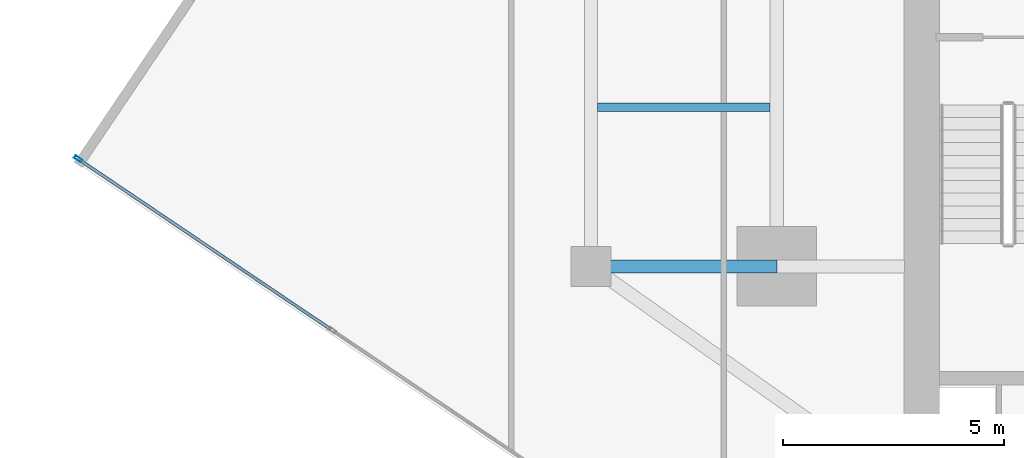
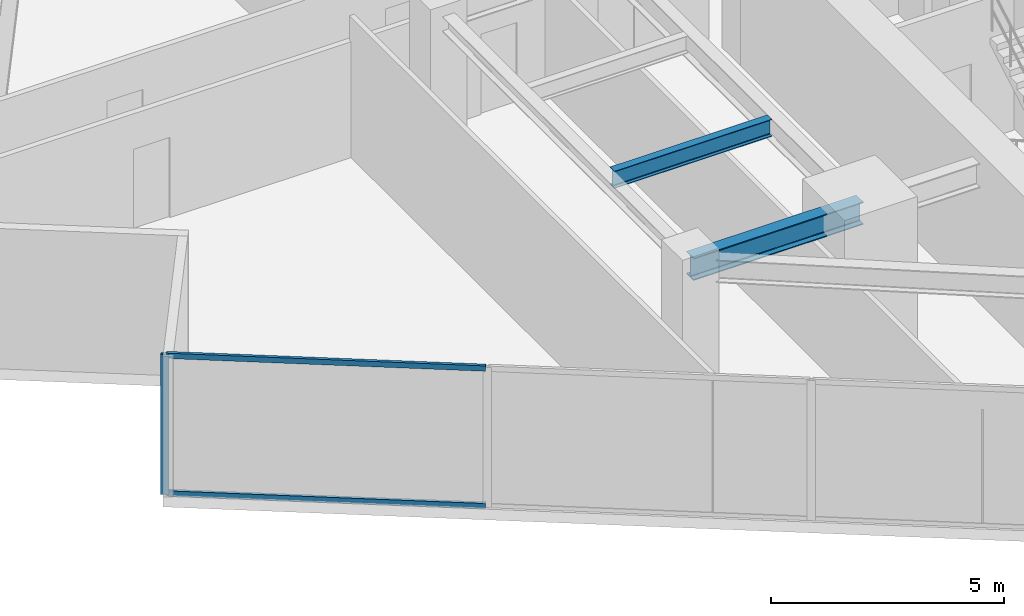
# One storey, part 5 of 27: 3 members, 2 beams, 1 element without a shape of its own.
"""IFC4 building model written with IfcOpenShell, lengths in metres."""

from ifc_helpers import new_model, si_unit, direction, frame, origin, origin_2d, place, context, subcontext, project, spatial, hollow_rectangle, i_section, extrude, source, transform, mapped, material, material_profile, profile_set, type_object, type_shapes, element, aggregate, save


model = new_model("IFC4")

# Units and contexts
model_context = context("Model", 3, precision=1e-05, world=origin(), true_north=direction((0.0, 1.0)))
body_context = subcontext(model_context, "Body", "Model", "MODEL_VIEW")
ifc_project = project(units=[si_unit("LENGTHUNIT", "METRE"), si_unit("AREAUNIT", "SQUARE_METRE"), si_unit("VOLUMEUNIT", "CUBIC_METRE"), si_unit("PLANEANGLEUNIT", "RADIAN"), si_unit("MASSUNIT", "GRAM", prefix="KILO")], contexts=[model_context])

# Site, building, storey
site_placement = place(None, origin())
site = spatial("IfcSite", under=ifc_project, at=site_placement, CompositionType="ELEMENT")
building_placement = place(site_placement, origin())
building = spatial("IfcBuilding", under=site, at=building_placement, Name="Krantzveldt Concourse Tower", CompositionType="ELEMENT")
storey_placement = place(building_placement, frame((0.0, 0.0, 185.699951171875)))
storey = spatial("IfcBuildingStorey", under=building, at=storey_placement, Name="L45", CompositionType="ELEMENT", Elevation=185.699951171875)

# Beams
ifc_material_1 = material(Name="Steel S355JR", Category="steel")
ifc_material_profile_1 = material_profile(ifc_material_1, i_section(OverallWidth=0.300048828125, OverallDepth=0.590087890625, WebThickness=0.012939453125, FlangeThickness=0.02490234375, FilletRadius=0.027099609375, at=origin_2d()), Name="Steel S355JR", Category="steel")
ifc_profile_set_1 = profile_set([ifc_material_profile_1], Name="Steel S355JR - HEA 600")
beam_type_1 = type_object("IfcBeamType", Name="BM-B-HEA600", PredefinedType="BEAM", material=ifc_profile_set_1)
shared_shape_1 = source(origin(), body_context, "Body", "SweptSolid", [
    extrude(i_section(OverallWidth=0.300048828125, OverallDepth=0.590087890625, WebThickness=0.012939453125, FlangeThickness=0.02490234375, FilletRadius=0.027099609375, at=origin_2d()), origin(), (0.0, 0.0, 1.0), 4.199951171875),
])
type_shapes(beam_type_1, [shared_shape_1])
beam_1_placement = place(storey_placement, frame((21.0, 15.89990234375, 3.375), z_axis=(1.0, 0.0, 0.0), x_axis=(0.0, 1.0, 0.0)))
element("IfcBeam", 1, at=beam_1_placement, inside=storey, type_object=beam_type_1, Name="L45 Tower Girder BR-RL1", PredefinedType="BEAM", context=body_context, shape_type="MappedRepresentation", body=[
    mapped(shared_shape_1, transform((0.0, 0.0, 0.0), x_axis=(1.0, 0.0, 0.0), y_axis=(0.0, 1.0, 0.0), z_axis=(0.0, 0.0, 1.0), scale=1.0)),
])
ifc_material_profile_2 = material_profile(ifc_material_1, i_section(OverallWidth=0.18994140625, OverallDepth=0.449951171875, WebThickness=0.009521484375, FlangeThickness=0.0146484375, FilletRadius=0.02099609375, at=origin_2d()), Name="Steel S355JR", Category="steel")
ifc_profile_set_2 = profile_set([ifc_material_profile_2], Name="Steel S355JR - IPE 450")
beam_type_2 = type_object("IfcBeamType", Name="BM-J-IPE450", PredefinedType="JOIST", material=ifc_profile_set_2)
shared_shape_2 = source(origin(), body_context, "Body", "SweptSolid", [
    extrude(i_section(OverallWidth=0.18994140625, OverallDepth=0.449951171875, WebThickness=0.009521484375, FlangeThickness=0.0146484375, FilletRadius=0.02099609375, at=origin_2d()), origin(), (0.0, 0.0, 1.0), 3.900146484375),
])
type_shapes(beam_type_2, [shared_shape_2])
beam_2_placement = place(storey_placement, frame((21.14990234375, 19.5, 3.445068359375), z_axis=(1.0, 0.0, 0.0), x_axis=(0.0, 1.0, 0.0)))
element("IfcBeam", 2, at=beam_2_placement, inside=storey, type_object=beam_type_2, Name="L45 Secondary Floor Joist JW-1", PredefinedType="JOIST", context=body_context, shape_type="MappedRepresentation", body=[
    mapped(shared_shape_2, transform((0.0, 0.0, 0.0), x_axis=(1.0, 0.0, 0.0), y_axis=(0.0, 1.0, 0.0), z_axis=(0.0, 0.0, 1.0), scale=1.0)),
])

# Curtain wall, members
ifc_material_2 = material(Name="Anodised aluminium 6063-T6", Category="aluminium")
curtain_wall_type = type_object("IfcCurtainWallType", Name="CW3", PredefinedType="USERDEFINED", material=ifc_material_2)
curtain_wall_placement = place(storey_placement, origin())
curtain_wall = element("IfcCurtainWall", 3, at=curtain_wall_placement, inside=storey, type_object=curtain_wall_type, Name="CW-L45-F04", ObjectType="UNITISED CURTAIN WALL", PredefinedType="USERDEFINED")
ifc_material_profile_3 = material_profile(ifc_material_2, hollow_rectangle(XDim=0.070068359375, YDim=0.179931640625, WallThickness=0.0048828125, at=origin_2d()), Name="Anodised aluminium 6063-T6", Category="aluminium")
ifc_profile_set_3 = profile_set([ifc_material_profile_3], Name="Anodised aluminium 6063-T6 - ALU-MULL 180x70x5")
member_type_1 = type_object("IfcMemberType", Name="CW-MUL-180", PredefinedType="MULLION", material=ifc_profile_set_3)
shared_shape_3 = source(origin(), body_context, "Body", "SweptSolid", [
    extrude(hollow_rectangle(XDim=0.070068359375, YDim=0.179931640625, WallThickness=0.0048828125, at=origin_2d()), origin(), (0.0, 0.0, 1.0), 3.670166015625),
])
type_shapes(member_type_1, [shared_shape_3])
member_1_placement = place(storey_placement, frame((9.40771484375, 18.3291015625, 0.0), z_axis=(0.0, 0.0, 1.0), x_axis=(0.559192810447, 0.829037635301, 0.0)))
member_1 = element("IfcMember", 4, at=member_1_placement, type_object=member_type_1, Name="CW-Z34 mullion 1", PredefinedType="MULLION", context=body_context, shape_type="MappedRepresentation", body=[
    mapped(shared_shape_3, transform((0.0, 0.0, 0.0), x_axis=(1.0, 0.0, 0.0), y_axis=(0.0, 1.0, 0.0), z_axis=(0.0, 0.0, 1.0), scale=1.0)),
])
ifc_material_profile_4 = material_profile(ifc_material_2, hollow_rectangle(XDim=0.070068359375, YDim=0.139892578125, WallThickness=0.0048828125, at=origin_2d()), Name="Anodised aluminium 6063-T6", Category="aluminium")
ifc_profile_set_4 = profile_set([ifc_material_profile_4], Name="Anodised aluminium 6063-T6 - ALU-TRAN 140x70x5")
member_type_2 = type_object("IfcMemberType", Name="CW-TRN-150", PredefinedType="USERDEFINED", material=ifc_profile_set_4)
shared_shape_4 = source(origin(), body_context, "Body", "SweptSolid", [
    extrude(hollow_rectangle(XDim=0.070068359375, YDim=0.139892578125, WallThickness=0.0048828125, at=origin_2d()), origin(), (0.0, 0.0, 1.0), 6.85498046875),
])
type_shapes(member_type_2, [shared_shape_4])
member_2_placement = place(storey_placement, frame((9.436767578125, 18.3095703125, 0.03515625), z_axis=(0.829041027493, -0.559187781281, 0.0), x_axis=(0.559187781281, 0.829041027493, 0.0)))
member_2 = element("IfcMember", 5, at=member_2_placement, type_object=member_type_2, Name="CW-Z34 transom 1.1", ObjectType="TRANSOM", PredefinedType="USERDEFINED", context=body_context, shape_type="MappedRepresentation", body=[
    mapped(shared_shape_4, transform((0.0, 0.0, 0.0), x_axis=(1.0, 0.0, 0.0), y_axis=(0.0, 1.0, 0.0), z_axis=(0.0, 0.0, 1.0), scale=1.0)),
])
member_3_placement = place(storey_placement, frame((9.436767578125, 18.3095703125, 3.635009765625), z_axis=(0.829041027493, -0.559187781281, 0.0), x_axis=(0.559187781281, 0.829041027493, 0.0)))
member_3 = element("IfcMember", 6, at=member_3_placement, type_object=member_type_2, Name="CW-Z34 transom 1.2", ObjectType="TRANSOM", PredefinedType="USERDEFINED", context=body_context, shape_type="MappedRepresentation", body=[
    mapped(shared_shape_4, transform((0.0, 0.0, 0.0), x_axis=(1.0, 0.0, 0.0), y_axis=(0.0, 1.0, 0.0), z_axis=(0.0, 0.0, 1.0), scale=1.0)),
])
aggregate(curtain_wall, [member_1, member_2, member_3])

save(model, "model.ifc")
